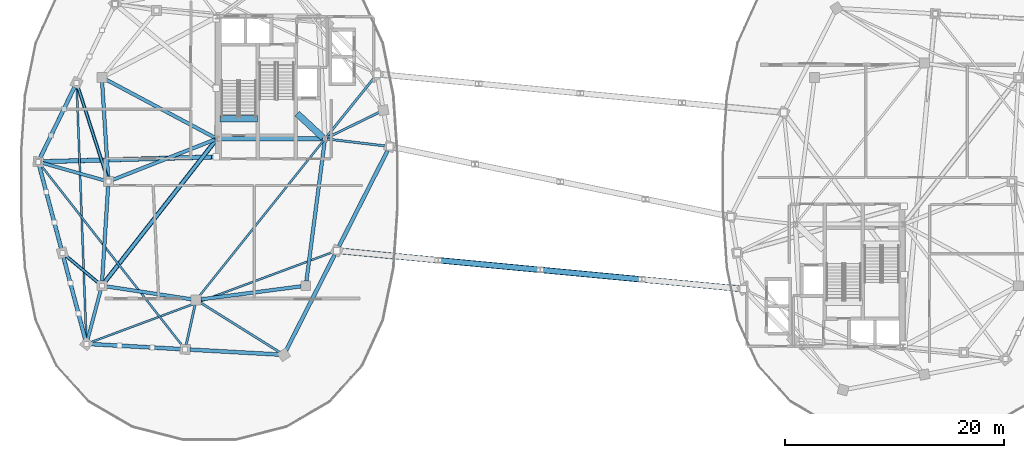
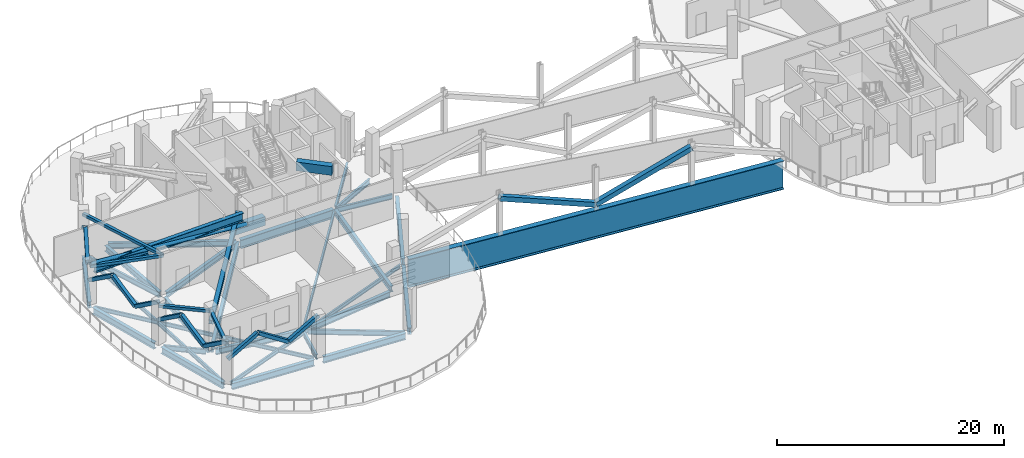
# One storey, part 3 of 16: 31 beams, 20 members.
"""IFC4 building model written with IfcOpenShell, lengths in metres."""

from ifc_helpers import new_model, si_unit, direction, frame, origin, origin_2d, place, context, subcontext, project, spatial, rectangle, hollow_rectangle, hollow_circle, i_section, extrude, material, material_profile, profile_set, type_object, element, save


model = new_model("IFC4")

# Units and contexts
model_context = context("Model", 3, precision=1e-05, world=origin(), true_north=direction((0.0, 1.0)))
body_context = subcontext(model_context, "Body", "Model", "MODEL_VIEW")
ifc_project = project(units=[si_unit("LENGTHUNIT", "METRE"), si_unit("AREAUNIT", "SQUARE_METRE"), si_unit("VOLUMEUNIT", "CUBIC_METRE"), si_unit("PLANEANGLEUNIT", "RADIAN"), si_unit("MASSUNIT", "GRAM", prefix="KILO"), si_unit("THERMODYNAMICTEMPERATUREUNIT", "KELVIN"), si_unit("POWERUNIT", "WATT")], contexts=[model_context])

# Site, building, storey
site_placement = place(None, origin())
site = spatial("IfcSite", under=ifc_project, at=site_placement, CompositionType="ELEMENT")
building_placement = place(site_placement, origin())
building = spatial("IfcBuilding", under=site, at=building_placement, Name="Cundina Bronze Exchange", CompositionType="ELEMENT")
storey_placement = place(building_placement, frame((0.0, 0.0, 235.0)))
storey = spatial("IfcBuildingStorey", under=building, at=storey_placement, Name="L62", CompositionType="ELEMENT", Elevation=235.0)

# Beams
ifc_material_1 = material(Name="Concrete C60/75", Category="concrete")
ifc_material_profile_1 = material_profile(ifc_material_1, rectangle(XDim=0.60009765625, YDim=0.949951171875, at=origin_2d()), Name="RC600X950", Category="concrete")
ifc_profile_set_1 = profile_set([ifc_material_profile_1], Name="Concrete C60/75")
beam_type_1 = type_object("IfcBeamType", Name="BM-COUP-RC950", PredefinedType="LINTEL", material=ifc_profile_set_1)
beam_1_placement = place(storey_placement, frame((-31.02001953125, 5.719970703125, -0.47509765625), z_axis=(1.0, 0.0, 0.0), x_axis=(0.0, 1.0, 0.0)))
element("IfcBeam", 1, at=beam_1_placement, inside=storey, type_object=beam_type_1, Name="L62 Stair W1 Landing Header Beam", PredefinedType="LINTEL", context=body_context, shape_type="SweptSolid", body=[
    extrude(rectangle(XDim=0.60009765625, YDim=0.949951171875, at=origin_2d()), origin(), (0.0, 0.0, 1.0), 3.39990234375),
])
beam_2_placement = place(storey_placement, frame((-23.989990234375, 6.199951171875, 3.864990234375), z_axis=(0.731490439815, -0.681851696822, 0.0), x_axis=(0.681851696822, 0.731490439815, 0.0)))
element("IfcBeam", 2, at=beam_2_placement, inside=storey, type_object=beam_type_1, Name="L62 W Core Shear Coupling Lintel Beam", PredefinedType="LINTEL", context=body_context, shape_type="SweptSolid", body=[
    extrude(rectangle(XDim=0.60009765625, YDim=0.949951171875, at=origin_2d()), origin(), (0.0, 0.0, 1.0), 3.226318359375),
])
ifc_material_2 = material(Name="Steel ASTM A992 Grade 50", Category="steel")
ifc_material_profile_2 = material_profile(ifc_material_2, i_section(OverallWidth=0.2119140625, OverallDepth=0.5439453125, WebThickness=0.01318359375, FlangeThickness=0.021240234375, FilletRadius=0.013916015625, at=origin_2d()), Name="W21X83", Category="steel")
ifc_profile_set_2 = profile_set([ifc_material_profile_2], Name="Steel ASTM A992 Grade 50")
beam_type_2 = type_object("IfcBeamType", Name="BM-FLR-W21A", PredefinedType="BEAM", material=ifc_profile_set_2)
beam_3_placement = place(storey_placement, frame((-21.25537109375, 3.876953125, -0.552001953125), z_axis=(0.993036786722, -0.117804669761, 0.0), x_axis=(0.117804669761, 0.993036786722, 0.0)))
element("IfcBeam", 3, at=beam_3_placement, inside=storey, type_object=beam_type_2, Name="L62 Leg W Radial Floor Beam 00", PredefinedType="BEAM", context=body_context, shape_type="SweptSolid", body=[
    extrude(i_section(OverallWidth=0.2119140625, OverallDepth=0.5439453125, WebThickness=0.01318359375, FlangeThickness=0.021240234375, FilletRadius=0.013916015625, at=origin_2d()), origin(), (0.0, 0.0, 1.0), 5.307373046875),
])
beam_4_placement = place(storey_placement, frame((-21.27392578125, 3.986083984375, -0.552001953125), z_axis=(0.898613202677, 0.438741737214, 0.0), x_axis=(-0.438741737214, 0.898613202677, 0.0)))
element("IfcBeam", 4, at=beam_4_placement, inside=storey, type_object=beam_type_2, Name="L62 Leg W Radial Floor Beam 01", PredefinedType="BEAM", context=body_context, shape_type="SweptSolid", body=[
    extrude(i_section(OverallWidth=0.2119140625, OverallDepth=0.5439453125, WebThickness=0.01318359375, FlangeThickness=0.021240234375, FilletRadius=0.013916015625, at=origin_2d()), origin(), (0.0, 0.0, 1.0), 5.2919921875),
])
beam_5_placement = place(storey_placement, frame((-21.3271484375, 4.052734375, -0.552001953125), z_axis=(0.627128630072, 0.778915708755, 0.0), x_axis=(-0.778915708755, 0.627128630072, 0.0)))
element("IfcBeam", 5, at=beam_5_placement, inside=storey, type_object=beam_type_2, Name="L62 Leg W Radial Floor Beam 02", PredefinedType="BEAM", context=body_context, shape_type="SweptSolid", body=[
    extrude(i_section(OverallWidth=0.2119140625, OverallDepth=0.5439453125, WebThickness=0.01318359375, FlangeThickness=0.021240234375, FilletRadius=0.013916015625, at=origin_2d()), origin(), (0.0, 0.0, 1.0), 6.9404296875),
])
beam_6_placement = place(storey_placement, frame((-41.334228515625, 0.4169921875, -0.552001953125), z_axis=(-0.306727566953, 0.951797352208, 0.0), x_axis=(-0.951797352208, -0.306727566953, 0.0)))
element("IfcBeam", 6, at=beam_6_placement, inside=storey, type_object=beam_type_2, Name="L62 Leg W Radial Floor Beam 07", PredefinedType="BEAM", context=body_context, shape_type="SweptSolid", body=[
    extrude(i_section(OverallWidth=0.2119140625, OverallDepth=0.5439453125, WebThickness=0.01318359375, FlangeThickness=0.021240234375, FilletRadius=0.013916015625, at=origin_2d()), origin(), (0.0, 0.0, 1.0), 8.57958984375),
])
beam_7_placement = place(storey_placement, frame((-42.136474609375, -9.219482421875, -0.552001953125), z_axis=(-0.768247540987, 0.640152884683, 0.0), x_axis=(-0.640152884683, -0.768247540987, 0.0)))
element("IfcBeam", 7, at=beam_7_placement, inside=storey, type_object=beam_type_2, Name="L62 Leg W Radial Floor Beam 09", PredefinedType="BEAM", context=body_context, shape_type="SweptSolid", body=[
    extrude(i_section(OverallWidth=0.2119140625, OverallDepth=0.5439453125, WebThickness=0.01318359375, FlangeThickness=0.021240234375, FilletRadius=0.013916015625, at=origin_2d()), origin(), (0.0, 0.0, 1.0), 3.81005859375),
])
beam_8_placement = place(storey_placement, frame((-33.294921875, -11.2275390625, -0.552001953125), z_axis=(-0.216958151571, -0.976180905605, 0.0), x_axis=(0.976180905605, -0.216958151571, 0.0)))
element("IfcBeam", 8, at=beam_8_placement, inside=storey, type_object=beam_type_2, Name="L62 Leg W Radial Floor Beam 11", PredefinedType="BEAM", context=body_context, shape_type="SweptSolid", body=[
    extrude(i_section(OverallWidth=0.2119140625, OverallDepth=0.5439453125, WebThickness=0.01318359375, FlangeThickness=0.021240234375, FilletRadius=0.013916015625, at=origin_2d()), origin(), (0.0, 0.0, 1.0), 3.733642578125),
])
beam_9_placement = place(storey_placement, frame((-32.82861328125, -11.031982421875, -0.552001953125), z_axis=(0.847995098703, -0.530004068452, 0.0), x_axis=(0.530004068452, 0.847995098703, 0.0)))
element("IfcBeam", 9, at=beam_9_placement, inside=storey, type_object=beam_type_2, Name="L62 Leg W Radial Floor Beam 12", PredefinedType="BEAM", context=body_context, shape_type="SweptSolid", body=[
    extrude(i_section(OverallWidth=0.2119140625, OverallDepth=0.5439453125, WebThickness=0.01318359375, FlangeThickness=0.021240234375, FilletRadius=0.013916015625, at=origin_2d()), origin(), (0.0, 0.0, 1.0), 8.55810546875),
])
ifc_material_profile_3 = material_profile(ifc_material_2, i_section(OverallWidth=0.178955078125, OverallDepth=0.409912109375, WebThickness=0.0087890625, FlangeThickness=0.014404296875, FilletRadius=0.010986328125, at=origin_2d()), Name="W16X45", Category="steel")
ifc_profile_set_3 = profile_set([ifc_material_profile_3], Name="Steel ASTM A992 Grade 50")
beam_type_3 = type_object("IfcBeamType", Name="BM-JST-W16", PredefinedType="JOIST", material=ifc_profile_set_3)
beam_10_placement = place(storey_placement, frame((-21.572509765625, 3.746826171875, -0.485107421875), z_axis=(-0.624364266872, -0.781133319129, 0.0), x_axis=(0.781133319129, -0.624364266872, 0.0)))
element("IfcBeam", 10, at=beam_10_placement, inside=storey, type_object=beam_type_3, Name="L62 W Interior Core-to-Ring Joist 2", PredefinedType="JOIST", context=body_context, shape_type="SweptSolid", body=[
    extrude(i_section(OverallWidth=0.178955078125, OverallDepth=0.409912109375, WebThickness=0.0087890625, FlangeThickness=0.014404296875, FilletRadius=0.010986328125, at=origin_2d()), origin(), (0.0, 0.0, 1.0), 18.184814453125),
])
beam_11_placement = place(storey_placement, frame((-44.08349609375, 8.562255859375, -0.485107421875), z_axis=(0.037790216102, -0.999285694667, 0.0), x_axis=(0.999285694667, 0.037790216102, 0.0)))
element("IfcBeam", 11, at=beam_11_placement, inside=storey, type_object=beam_type_3, Name="L62 Leg W Lobe Floor Joist 07-10", PredefinedType="JOIST", context=body_context, shape_type="SweptSolid", body=[
    extrude(i_section(OverallWidth=0.178955078125, OverallDepth=0.409912109375, WebThickness=0.0087890625, FlangeThickness=0.014404296875, FilletRadius=0.010986328125, at=origin_2d()), origin(), (0.0, 0.0, 1.0), 22.94091796875),
])
beam_12_placement = place(storey_placement, frame((-47.329833984375, 1.455078125, -0.485107421875), z_axis=(0.616810493522, -0.787111691618, 0.0), x_axis=(0.787111691618, 0.616810493522, 0.0)))
element("IfcBeam", 12, at=beam_12_placement, inside=storey, type_object=beam_type_3, Name="L62 Leg W Lobe Floor Joist 08-11", PredefinedType="JOIST", context=body_context, shape_type="SweptSolid", body=[
    extrude(i_section(OverallWidth=0.178955078125, OverallDepth=0.409912109375, WebThickness=0.0087890625, FlangeThickness=0.014404296875, FilletRadius=0.010986328125, at=origin_2d()), origin(), (0.0, 0.0, 1.0), 20.8486328125),
])
beam_13_placement = place(storey_placement, frame((-42.78955078125, -14.647216796875, -0.485107421875), z_axis=(0.937127927239, 0.348986028358, 0.0), x_axis=(-0.348986028358, 0.937127927239, 0.0)))
element("IfcBeam", 13, at=beam_13_placement, inside=storey, type_object=beam_type_3, Name="L62 Leg W Lobe Floor Joist 10-13", PredefinedType="JOIST", context=body_context, shape_type="SweptSolid", body=[
    extrude(i_section(OverallWidth=0.178955078125, OverallDepth=0.409912109375, WebThickness=0.0087890625, FlangeThickness=0.014404296875, FilletRadius=0.010986328125, at=origin_2d()), origin(), (0.0, 0.0, 1.0), 23.48046875),
])
ifc_material_profile_4 = material_profile(ifc_material_2, i_section(OverallWidth=0.39990234375, OverallDepth=0.85498046875, WebThickness=0.018310546875, FlangeThickness=0.029296875, FilletRadius=0.02001953125, at=origin_2d()), Name="W33X201", Category="steel")
ifc_profile_set_4 = profile_set([ifc_material_profile_4], Name="Steel ASTM A992 Grade 50")
beam_type_4 = type_object("IfcBeamType", Name="BM-OUT-W33", PredefinedType="USERDEFINED", material=ifc_profile_set_4)
beam_14_placement = place(storey_placement, frame((-31.7998046875, 2.237548828125, 3.46240234375), z_axis=(-0.999616573348, -0.027689461689, 0.0), x_axis=(0.027689461689, -0.999616573348, 0.0)))
element("IfcBeam", 14, at=beam_14_placement, inside=storey, type_object=beam_type_4, Name="L62 W Outrigger Upper Tie Chord 3", ObjectType="GIRDER", PredefinedType="USERDEFINED", context=body_context, shape_type="SweptSolid", body=[
    extrude(i_section(OverallWidth=0.39990234375, OverallDepth=0.85498046875, WebThickness=0.018310546875, FlangeThickness=0.029296875, FilletRadius=0.02001953125, at=origin_2d()), origin(), (0.0, 0.0, 1.0), 15.3681640625),
])
ifc_material_profile_5 = material_profile(ifc_material_2, i_section(OverallWidth=0.324951171875, OverallDepth=0.615966796875, WebThickness=0.013916015625, FlangeThickness=0.021484375, FilletRadius=0.01611328125, at=origin_2d()), Name="W24X117", Category="steel")
ifc_profile_set_5 = profile_set([ifc_material_profile_5], Name="Steel ASTM A992 Grade 50")
beam_type_5 = type_object("IfcBeamType", Name="BM-RING-W24", PredefinedType="USERDEFINED", material=ifc_profile_set_5)
for number, where, z_axis, x_axis, name in (
    (15, (-41.7724609375, 9.06298828125, -0.587890625), (0.063046519736, -0.998010589297, 0.0), (0.998010589297, 0.063046519736, 0.0), "L62 W Inner Structural Ring Girder 03"),
    (16, (-41.2275390625, -0.43701171875, -0.587890625), (-0.063046519736, -0.998010589297, 0.0), (0.998010589297, -0.063046519736, 0.0), "L62 W Inner Structural Ring Girder 04"),
):
    element("IfcBeam", number, at=place(storey_placement, frame(where, z_axis=z_axis, x_axis=x_axis)), inside=storey, type_object=beam_type_5, Name=name, ObjectType="GIRDER", PredefinedType="USERDEFINED", context=body_context, shape_type="SweptSolid", body=[
        extrude(i_section(OverallWidth=0.324951171875, OverallDepth=0.615966796875, WebThickness=0.013916015625, FlangeThickness=0.021484375, FilletRadius=0.01611328125, at=origin_2d()), origin(), (0.0, 0.0, 1.0), 8.64306640625),
    ])
beam_15_placement = place(storey_placement, frame((-41.366943359375, -9.5654296875, -0.587890625), z_axis=(0.988764903598, -0.149478979839, 0.0), x_axis=(0.149478979839, 0.988764903598, 0.0)))
element("IfcBeam", 17, at=beam_15_placement, inside=storey, type_object=beam_type_5, Name="L62 W Inner Structural Ring Girder 05", ObjectType="GIRDER", PredefinedType="USERDEFINED", context=body_context, shape_type="SweptSolid", body=[
    extrude(i_section(OverallWidth=0.324951171875, OverallDepth=0.615966796875, WebThickness=0.013916015625, FlangeThickness=0.021484375, FilletRadius=0.01611328125, at=origin_2d()), origin(), (0.0, 0.0, 1.0), 7.82177734375),
])
beam_16_placement = place(storey_placement, frame((-32.765625, -10.743408203125, -0.587890625), z_axis=(0.991656498582, 0.128908451316, 0.0), x_axis=(-0.128908451316, 0.991656498582, 0.0)))
element("IfcBeam", 18, at=beam_16_placement, inside=storey, type_object=beam_type_5, Name="L62 W Inner Structural Ring Girder 06", ObjectType="GIRDER", PredefinedType="USERDEFINED", context=body_context, shape_type="SweptSolid", body=[
    extrude(i_section(OverallWidth=0.324951171875, OverallDepth=0.615966796875, WebThickness=0.013916015625, FlangeThickness=0.021484375, FilletRadius=0.01611328125, at=origin_2d()), origin(), (0.0, 0.0, 1.0), 9.208251953125),
])
beam_17_placement = place(storey_placement, frame((-23.143310546875, -9.065673828125, -0.587890625), z_axis=(0.129501251979, 0.991579258424, 0.0), x_axis=(-0.991579258424, 0.129501251979, 0.0)))
element("IfcBeam", 19, at=beam_17_placement, inside=storey, type_object=beam_type_5, Name="L62 W Inner Structural Ring Girder 07", ObjectType="GIRDER", PredefinedType="USERDEFINED", context=body_context, shape_type="SweptSolid", body=[
    extrude(i_section(OverallWidth=0.324951171875, OverallDepth=0.615966796875, WebThickness=0.013916015625, FlangeThickness=0.021484375, FilletRadius=0.01611328125, at=origin_2d()), origin(), (0.0, 0.0, 1.0), 12.8798828125),
])
beam_18_placement = place(storey_placement, frame((-31.482421875, 3.828125, -0.587890625), z_axis=(-0.930404106569, -0.366535398673, 0.0), x_axis=(0.366535398673, -0.930404106569, 0.0)))
element("IfcBeam", 20, at=beam_18_placement, inside=storey, type_object=beam_type_5, Name="L62 W Core-to-Waist Tie Beam 1", ObjectType="GIRDER", PredefinedType="USERDEFINED", context=body_context, shape_type="SweptSolid", body=[
    extrude(i_section(OverallWidth=0.324951171875, OverallDepth=0.615966796875, WebThickness=0.013916015625, FlangeThickness=0.021484375, FilletRadius=0.01611328125, at=origin_2d()), origin(), (0.0, 0.0, 1.0), 10.00634765625),
])
beam_19_placement = place(storey_placement, frame((-31.472900390625, 3.9921875, -0.587890625), z_axis=(-0.882350541683, 0.470592734317, 0.0), x_axis=(-0.470592734317, -0.882350541683, 0.0)))
element("IfcBeam", 21, at=beam_19_placement, inside=storey, type_object=beam_type_5, Name="L62 W Core-to-Waist Tie Beam 2", ObjectType="GIRDER", PredefinedType="USERDEFINED", context=body_context, shape_type="SweptSolid", body=[
    extrude(i_section(OverallWidth=0.324951171875, OverallDepth=0.615966796875, WebThickness=0.013916015625, FlangeThickness=0.021484375, FilletRadius=0.01611328125, at=origin_2d()), origin(), (0.0, 0.0, 1.0), 11.26611328125),
])
beam_20_placement = place(storey_placement, frame((-31.4208984375, 3.74560546875, -0.587890625), z_axis=(-0.616782900053, -0.787133314123, 0.0), x_axis=(0.787133314123, -0.616782900053, 0.0)))
element("IfcBeam", 22, at=beam_20_placement, inside=storey, type_object=beam_type_5, Name="L62 W Core-to-Waist Tie Beam 3", ObjectType="GIRDER", PredefinedType="USERDEFINED", context=body_context, shape_type="SweptSolid", body=[
    extrude(i_section(OverallWidth=0.324951171875, OverallDepth=0.615966796875, WebThickness=0.013916015625, FlangeThickness=0.021484375, FilletRadius=0.01611328125, at=origin_2d()), origin(), (0.0, 0.0, 1.0), 16.3896484375),
])
ifc_material_profile_6 = material_profile(ifc_material_2, i_section(OverallWidth=0.35498046875, OverallDepth=0.695068359375, WebThickness=0.015380859375, FlangeThickness=0.02490234375, FilletRadius=0.01806640625, at=origin_2d()), Name="W27X146", Category="steel")
ifc_profile_set_6 = profile_set([ifc_material_profile_6], Name="Steel ASTM A992 Grade 50")
beam_type_6 = type_object("IfcBeamType", Name="BM-RING-W27", PredefinedType="USERDEFINED", material=ifc_profile_set_6)
beam_21_placement = place(storey_placement, frame((-44.29150390625, 8.606201171875, -0.62744140625), z_axis=(-0.437173087764, -0.89937739094, 0.0), x_axis=(0.89937739094, -0.437173087764, 0.0)))
element("IfcBeam", 23, at=beam_21_placement, inside=storey, type_object=beam_type_6, Name="L62 W Perimeter Ring Girder 07", ObjectType="GIRDER", PredefinedType="USERDEFINED", context=body_context, shape_type="SweptSolid", body=[
    extrude(i_section(OverallWidth=0.35498046875, OverallDepth=0.695068359375, WebThickness=0.015380859375, FlangeThickness=0.02490234375, FilletRadius=0.01806640625, at=origin_2d()), origin(), (0.0, 0.0, 1.0), 7.1298828125),
])
for number, where, z_axis, x_axis, name in (
    (24, (-47.48779296875, 1.376708984375, -0.62744140625), (0.256211934474, -0.966620631185, 0.0), (0.966620631185, 0.256211934474, 0.0), "L62 W Perimeter Ring Girder 08"),
    (25, (-45.287841796875, -6.92333984375, -0.62744140625), (0.256211934474, -0.966620631185, 0.0), (0.966620631185, 0.256211934474, 0.0), "L62 W Perimeter Ring Girder 09"),
):
    element("IfcBeam", number, at=place(storey_placement, frame(where, z_axis=z_axis, x_axis=x_axis)), inside=storey, type_object=beam_type_6, Name=name, ObjectType="GIRDER", PredefinedType="USERDEFINED", context=body_context, shape_type="SweptSolid", body=[
        extrude(i_section(OverallWidth=0.35498046875, OverallDepth=0.695068359375, WebThickness=0.015380859375, FlangeThickness=0.02490234375, FilletRadius=0.01806640625, at=origin_2d()), origin(), (0.0, 0.0, 1.0), 7.710693359375),
    ])
for number, where, z_axis, x_axis, name in (
    (26, (-42.7626953125, -14.82421875, -0.62744140625), (0.998460353205, -0.055470019623, 0.0), (0.055470019623, 0.998460353205, 0.0), "L62 W Perimeter Ring Girder 10"),
    (27, (-33.7626953125, -15.32421875, -0.62744140625), (0.998460353205, -0.055470019623, 0.0), (0.055470019623, 0.998460353205, 0.0), "L62 W Perimeter Ring Girder 11"),
):
    element("IfcBeam", number, at=place(storey_placement, frame(where, z_axis=z_axis, x_axis=x_axis)), inside=storey, type_object=beam_type_6, Name=name, ObjectType="GIRDER", PredefinedType="USERDEFINED", context=body_context, shape_type="SweptSolid", body=[
        extrude(i_section(OverallWidth=0.35498046875, OverallDepth=0.695068359375, WebThickness=0.015380859375, FlangeThickness=0.02490234375, FilletRadius=0.01806640625, at=origin_2d()), origin(), (0.0, 0.0, 1.0), 8.137939453125),
    ])
for number, where, z_axis, x_axis, name in (
    (28, (-25.001708984375, -15.409423828125, -0.62744140625), (0.452846871434, 0.891588308039, 0.0), (-0.891588308039, 0.452846871434, 0.0), "L62 W Perimeter Ring Girder 12"),
    (29, (-20.1767578125, -5.909423828125, -0.62744140625), (0.452846871434, 0.891588308039, 0.0), (-0.891588308039, 0.452846871434, 0.0), "L62 W Perimeter Ring Girder 13"),
):
    element("IfcBeam", number, at=place(storey_placement, frame(where, z_axis=z_axis, x_axis=x_axis)), inside=storey, type_object=beam_type_6, Name=name, ObjectType="GIRDER", PredefinedType="USERDEFINED", context=body_context, shape_type="SweptSolid", body=[
        extrude(i_section(OverallWidth=0.35498046875, OverallDepth=0.695068359375, WebThickness=0.015380859375, FlangeThickness=0.02490234375, FilletRadius=0.01806640625, at=origin_2d()), origin(), (0.0, 0.0, 1.0), 9.779052734375),
    ])
ifc_material_profile_7 = material_profile(ifc_material_2, i_section(OverallWidth=0.41796875, OverallDepth=0.927001953125, WebThickness=0.019287109375, FlangeThickness=0.031982421875, FilletRadius=0.02392578125, at=origin_2d()), Name="W36X231", Category="steel")
ifc_profile_set_7 = profile_set([ifc_material_profile_7], Name="Steel ASTM A992 Grade 50")
beam_type_7 = type_object("IfcBeamType", Name="BM-WRN-W36B", PredefinedType="USERDEFINED", material=ifc_profile_set_7)
beam_22_placement = place(storey_placement, frame((-31.10400390625, 3.89990234375, -0.743408203125), z_axis=(1.0, 0.0, 0.0), x_axis=(0.0, 1.0, 0.0)))
element("IfcBeam", 30, at=beam_22_placement, inside=storey, type_object=beam_type_7, Name="L62 W Core Perimeter Tie Girder 1", ObjectType="GIRDER", PredefinedType="USERDEFINED", context=body_context, shape_type="SweptSolid", body=[
    extrude(i_section(OverallWidth=0.41796875, OverallDepth=0.927001953125, WebThickness=0.019287109375, FlangeThickness=0.031982421875, FilletRadius=0.02392578125, at=origin_2d()), origin(), (0.0, 0.0, 1.0), 9.4580078125),
])
ifc_material_profile_8 = material_profile(ifc_material_2, i_section(OverallWidth=0.550048828125, OverallDepth=3.050048828125, WebThickness=0.035888671875, FlangeThickness=0.054931640625, FilletRadius=0.02392578125, at=origin_2d()), Name="W106X750", Category="steel")
ifc_profile_set_8 = profile_set([ifc_material_profile_8], Name="Steel ASTM A992 Grade 50")
beam_type_8 = type_object("IfcBeamType", Name="BM-XFER-STL2700", PredefinedType="USERDEFINED", material=ifc_profile_set_8)
beam_23_placement = place(storey_placement, frame((-19.93896484375, -6.34130859375, -1.52490234375), z_axis=(0.995574064121, -0.093980225843, 0.0), x_axis=(0.093980225843, 0.995574064121, 0.0)))
element("IfcBeam", 31, at=beam_23_placement, inside=storey, type_object=beam_type_8, Name="L62 Sky-Gate Portal Transfer Bottom Chord Y1", ObjectType="GIRDER", PredefinedType="USERDEFINED", context=body_context, shape_type="SweptSolid", body=[
    extrude(i_section(OverallWidth=0.550048828125, OverallDepth=3.050048828125, WebThickness=0.035888671875, FlangeThickness=0.054931640625, FilletRadius=0.02392578125, at=origin_2d()), origin(), (0.0, 0.0, 1.0), 36.36376953125),
])

# Members
ifc_material_3 = material(Name="Steel ASTM A500 Grade C", Category="steel")
ifc_material_profile_9 = material_profile(ifc_material_3, hollow_rectangle(XDim=0.300048828125, YDim=0.300048828125, WallThickness=0.01611328125, at=origin_2d()), Name="HSS300X300X16", Category="steel")
ifc_profile_set_9 = profile_set([ifc_material_profile_9], Name="Steel ASTM A500 Grade C")
member_type_1 = type_object("IfcMemberType", Name="MBR-BLT-HSS300", PredefinedType="STRUT", material=ifc_profile_set_9)
member_1_placement = place(storey_placement, frame((-41.199951171875, 0.0, 3.889892578125), z_axis=(-0.962650641065, 0.270746640342, 0.0), x_axis=(-0.270746640342, -0.962650641065, 0.0)))
element("IfcMember", 32, at=member_1_placement, inside=storey, type_object=member_type_1, Name="L62 W Outrigger Collector Strut 1", PredefinedType="STRUT", context=body_context, shape_type="SweptSolid", body=[
    extrude(hollow_rectangle(XDim=0.300048828125, YDim=0.300048828125, WallThickness=0.01611328125, at=origin_2d()), origin(), (0.0, 0.0, 1.0), 6.6484375),
])
member_2_placement = place(storey_placement, frame((-41.199951171875, 0.0, 3.889892578125), z_axis=(-0.306707801861, 0.951803721509, 0.0), x_axis=(-0.951803721509, -0.306707801861, 0.0)))
element("IfcMember", 33, at=member_2_placement, inside=storey, type_object=member_type_1, Name="L62 W Outrigger Collector Strut 2", PredefinedType="STRUT", context=body_context, shape_type="SweptSolid", body=[
    extrude(hollow_rectangle(XDim=0.300048828125, YDim=0.300048828125, WallThickness=0.01611328125, at=origin_2d()), origin(), (0.0, 0.0, 1.0), 9.455810546875),
])
member_3_placement = place(storey_placement, frame((-41.800048828125, -9.5, 3.889892578125), z_axis=(-0.768208468069, 0.640199773186, 0.0), x_axis=(-0.640199773186, -0.768208468069, 0.0)))
element("IfcMember", 34, at=member_3_placement, inside=storey, type_object=member_type_1, Name="L62 W Outrigger Collector Strut 3", PredefinedType="STRUT", context=body_context, shape_type="SweptSolid", body=[
    extrude(hollow_rectangle(XDim=0.300048828125, YDim=0.300048828125, WallThickness=0.01611328125, at=origin_2d()), origin(), (0.0, 0.0, 1.0), 4.68603515625),
])
member_4_placement = place(storey_placement, frame((-41.800048828125, -9.5, 3.889892578125), z_axis=(-0.255372270734, -0.966842801773, 0.0), x_axis=(0.966842801773, -0.255372270734, 0.0)))
element("IfcMember", 35, at=member_4_placement, inside=storey, type_object=member_type_1, Name="L62 W Outrigger Collector Strut 5", PredefinedType="STRUT", context=body_context, shape_type="SweptSolid", body=[
    extrude(hollow_rectangle(XDim=0.300048828125, YDim=0.300048828125, WallThickness=0.01611328125, at=origin_2d()), origin(), (0.0, 0.0, 1.0), 5.481689453125),
])
ifc_material_profile_10 = material_profile(ifc_material_3, hollow_rectangle(XDim=0.35009765625, YDim=0.35009765625, WallThickness=0.01904296875, at=origin_2d()), Name="HSS350X350X19", Category="steel")
ifc_profile_set_10 = profile_set([ifc_material_profile_10], Name="Steel ASTM A500 Grade C")
member_type_2 = type_object("IfcMemberType", Name="MBR-BLT-HSS350", PredefinedType="BRACE", material=ifc_profile_set_10)
member_5_placement = place(storey_placement, frame((-47.60009765625, 1.800048828125, 2.409912109375), z_axis=(0.213809470648, -0.806625409736, 0.551036258906), x_axis=(0.966618915213, 0.256218408303, 0.0)))
element("IfcMember", 36, at=member_5_placement, inside=storey, type_object=member_type_2, Name="L62 W Perimeter Belt M-Truss Diagonal 1A", PredefinedType="BRACE", context=body_context, shape_type="SweptSolid", body=[
    extrude(hollow_rectangle(XDim=0.35009765625, YDim=0.35009765625, WallThickness=0.01904296875, at=origin_2d()), origin(), (0.0, 0.0, 1.0), 3.43017578125),
])
for number, where, z_axis, x_axis, name in (
    (37, (-46.86669921875, -0.966796875, 4.300048828125), (0.213821746286, -0.806600542248, -0.551067896054), (0.966613315255, 0.256239533977, 0.0), "L62 W Perimeter Belt M-Truss Diagonal 1B"),
    (38, (-46.13330078125, -3.7333984375, 2.409912109375), (0.213821746286, -0.806600542248, 0.551067896054), (0.966613315255, 0.256239533977, 0.0), "L62 W Perimeter Belt M-Truss Diagonal 1C"),
):
    element("IfcMember", number, at=place(storey_placement, frame(where, z_axis=z_axis, x_axis=x_axis)), inside=storey, type_object=member_type_2, Name=name, PredefinedType="BRACE", context=body_context, shape_type="SweptSolid", body=[
        extrude(hollow_rectangle(XDim=0.35009765625, YDim=0.35009765625, WallThickness=0.01904296875, at=origin_2d()), origin(), (0.0, 0.0, 1.0), 3.429931640625),
    ])
member_6_placement = place(storey_placement, frame((-44.10009765625, 9.0, 2.409912109375), z_axis=(-0.356729366299, -0.733915795463, 0.578024017139), x_axis=(0.899384841713, -0.437157759278, 0.0)))
element("IfcMember", 39, at=member_6_placement, inside=storey, type_object=member_type_2, Name="L62 W Perimeter Belt M-Truss Diagonal 2A", PredefinedType="BRACE", context=body_context, shape_type="SweptSolid", body=[
    extrude(hollow_rectangle(XDim=0.35009765625, YDim=0.35009765625, WallThickness=0.01904296875, at=origin_2d()), origin(), (0.0, 0.0, 1.0), 3.27001953125),
])
member_7_placement = place(storey_placement, frame((-45.2666015625, 6.60009765625, 4.300048828125), z_axis=(-0.356774974672, -0.733930691776, -0.577976952063), x_axis=(0.899366355353, -0.437195790075, 0.0)))
element("IfcMember", 40, at=member_7_placement, inside=storey, type_object=member_type_2, Name="L62 W Perimeter Belt M-Truss Diagonal 2B", PredefinedType="BRACE", context=body_context, shape_type="SweptSolid", body=[
    extrude(hollow_rectangle(XDim=0.35009765625, YDim=0.35009765625, WallThickness=0.01904296875, at=origin_2d()), origin(), (0.0, 0.0, 1.0), 3.270263671875),
])
member_8_placement = place(storey_placement, frame((-46.433349609375, 4.199951171875, 2.409912109375), z_axis=(-0.356794523485, -0.733896247302, 0.578008621222), x_axis=(0.899348867178, -0.437231763606, 0.0)))
element("IfcMember", 41, at=member_8_placement, inside=storey, type_object=member_type_2, Name="L62 W Perimeter Belt M-Truss Diagonal 2C", PredefinedType="BRACE", context=body_context, shape_type="SweptSolid", body=[
    extrude(hollow_rectangle(XDim=0.35009765625, YDim=0.35009765625, WallThickness=0.01904296875, at=origin_2d()), origin(), (0.0, 0.0, 1.0), 3.27001953125),
])
for number, where, z_axis, x_axis, name in (
    (42, (-45.39990234375, -6.5, 2.409912109375), (0.213753820011, -0.806612816638, 0.551076281893), (0.966634439785, 0.256159832569, 0.0), "L62 W Perimeter Belt M-Truss Diagonal 3A"),
    (43, (-44.666748046875, -9.2666015625, 4.300048828125), (0.213821746286, -0.806600542248, -0.551067896054), (0.966613315255, 0.256239533977, 0.0), "L62 W Perimeter Belt M-Truss Diagonal 3B"),
):
    element("IfcMember", number, at=place(storey_placement, frame(where, z_axis=z_axis, x_axis=x_axis)), inside=storey, type_object=member_type_2, Name=name, PredefinedType="BRACE", context=body_context, shape_type="SweptSolid", body=[
        extrude(hollow_rectangle(XDim=0.35009765625, YDim=0.35009765625, WallThickness=0.01904296875, at=origin_2d()), origin(), (0.0, 0.0, 1.0), 3.429931640625),
    ])
member_9_placement = place(storey_placement, frame((-43.933349609375, -12.033203125, 2.409912109375), z_axis=(0.213809470648, -0.806625409736, 0.551036258906), x_axis=(0.966618915213, 0.256218408303, 0.0)))
element("IfcMember", 44, at=member_9_placement, inside=storey, type_object=member_type_2, Name="L62 W Perimeter Belt M-Truss Diagonal 3C", PredefinedType="BRACE", context=body_context, shape_type="SweptSolid", body=[
    extrude(hollow_rectangle(XDim=0.35009765625, YDim=0.35009765625, WallThickness=0.01904296875, at=origin_2d()), origin(), (0.0, 0.0, 1.0), 3.43017578125),
])
for number, where, z_axis, x_axis, name in (
    (45, (-43.199951171875, -14.800048828125, 2.409912109375), (0.845140111269, -0.046975154297, 0.5324767856), (0.055497021194, 0.998458852752, 0.0), "L62 W Perimeter Belt M-Truss Diagonal 5A"),
    (46, (-40.199951171875, -14.966796875, 4.300048828125), (0.845142839798, -0.046906528055, -0.532478504697), (0.055416016115, 0.998463351935, 0.0), "L62 W Perimeter Belt M-Truss Diagonal 5B"),
    (47, (-37.199951171875, -15.13330078125, 2.409912109375), (0.845140111269, -0.046975154297, 0.5324767856), (0.055497021194, 0.998458852752, 0.0), "L62 W Perimeter Belt M-Truss Diagonal 5C"),
):
    element("IfcMember", number, at=place(storey_placement, frame(where, z_axis=z_axis, x_axis=x_axis)), inside=storey, type_object=member_type_2, Name=name, PredefinedType="BRACE", context=body_context, shape_type="SweptSolid", body=[
        extrude(hollow_rectangle(XDim=0.35009765625, YDim=0.35009765625, WallThickness=0.01904296875, at=origin_2d()), origin(), (0.0, 0.0, 1.0), 3.5498046875),
    ])
ifc_material_profile_11 = material_profile(ifc_material_2, i_section(OverallWidth=0.406005859375, OverallDepth=0.416015625, WebThickness=0.02978515625, FlangeThickness=0.048095703125, FilletRadius=0.01806640625, at=origin_2d()), Name="W14X257", Category="steel")
ifc_profile_set_11 = profile_set([ifc_material_profile_11], Name="Steel ASTM A992 Grade 50")
member_type_3 = type_object("IfcMemberType", Name="MBR-CHORD-W14", PredefinedType="CHORD", material=ifc_profile_set_11)
member_10_placement = place(storey_placement, frame((-31.300048828125, 3.89990234375, 2.64990234375), z_axis=(-0.616786098303, -0.787130808024, 0.0), x_axis=(0.787130808024, -0.616786098303, 0.0)))
element("IfcMember", 48, at=member_10_placement, inside=storey, type_object=member_type_3, Name="L62 West Outrigger Mid-Height Tie Chord 1", PredefinedType="CHORD", context=body_context, shape_type="SweptSolid", body=[
    extrude(i_section(OverallWidth=0.406005859375, OverallDepth=0.416015625, WebThickness=0.02978515625, FlangeThickness=0.048095703125, FilletRadius=0.01806640625, at=origin_2d()), origin(), (0.0, 0.0, 1.0), 17.023681640625),
])
ifc_material_4 = material(Name="Steel ASTM A501 Grade B", Category="steel")
ifc_material_profile_12 = material_profile(ifc_material_4, hollow_circle(Radius=0.202880859375, WallThickness=0.02001953125, at=origin_2d()), Name="CHS406X20", Category="steel")
ifc_profile_set_12 = profile_set([ifc_material_profile_12], Name="Steel ASTM A501 Grade B")
member_type_4 = type_object("IfcMemberType", Name="MBR-OUT-CHS406", PredefinedType="BRACE", material=ifc_profile_set_12)
member_11_placement = place(storey_placement, frame((-31.35009765625, 2.25, 2.449951171875), z_axis=(-0.994258848675, -0.027530334407, 0.103399335194), x_axis=(0.027678694325, -0.999616871547, 0.0)))
element("IfcMember", 49, at=member_11_placement, inside=storey, type_object=member_type_4, Name="L62 W Outrigger Truss Diagonal 3", PredefinedType="BRACE", context=body_context, shape_type="SweptSolid", body=[
    extrude(hollow_circle(Radius=0.202880859375, WallThickness=0.02001953125, at=origin_2d()), origin(), (0.0, 0.0, 1.0), 16.34375),
])
ifc_material_profile_13 = material_profile(ifc_material_4, hollow_rectangle(XDim=0.5, YDim=0.5, WallThickness=0.028076171875, at=origin_2d()), Name="HSS500X500X28", Category="steel")
ifc_profile_set_13 = profile_set([ifc_material_profile_13], Name="Steel ASTM A501 Grade B")
member_type_5 = type_object("IfcMemberType", Name="MBR-WRN-HSS500", PredefinedType="BRACE", material=ifc_profile_set_13)
for number, where, z_axis, x_axis, name in (
    (50, (-11.106201171875, -7.175048828125, 3.929931640625), (0.935813384467, -0.088343347028, -0.341245897394), (0.093984877441, 0.995573625008, 0.0), "L62 Sky-Gate Warren Truss Diagonal Y1-P2"),
    (51, (-1.83740234375, -8.050048828125, 0.550048828125), (0.935813384467, -0.088343347028, 0.341245897394), (0.093984877441, 0.995573625008, 0.0), "L62 Sky-Gate Warren Truss Diagonal Y1-P3"),
):
    element("IfcMember", number, at=place(storey_placement, frame(where, z_axis=z_axis, x_axis=x_axis)), inside=storey, type_object=member_type_5, Name=name, PredefinedType="BRACE", context=body_context, shape_type="SweptSolid", body=[
        extrude(hollow_rectangle(XDim=0.5, YDim=0.5, WallThickness=0.028076171875, at=origin_2d()), origin(), (0.0, 0.0, 1.0), 9.904541015625),
    ])

save(model, "model.ifc")
